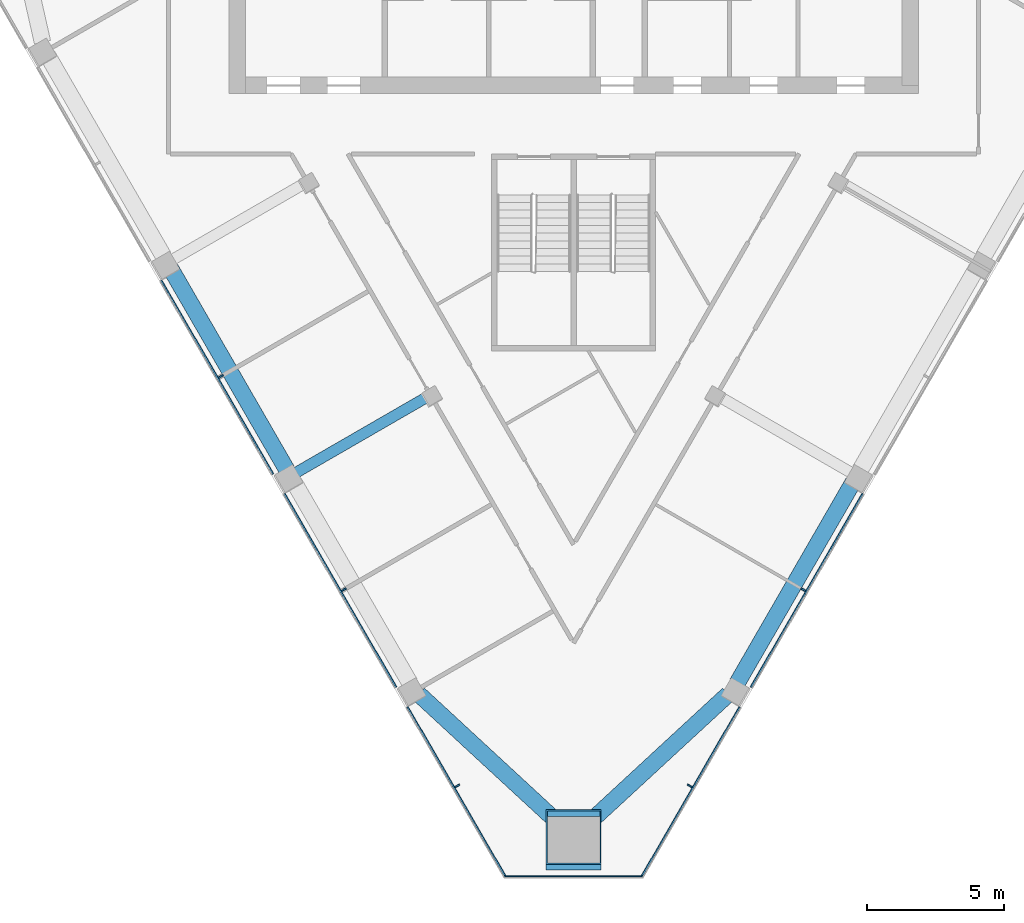
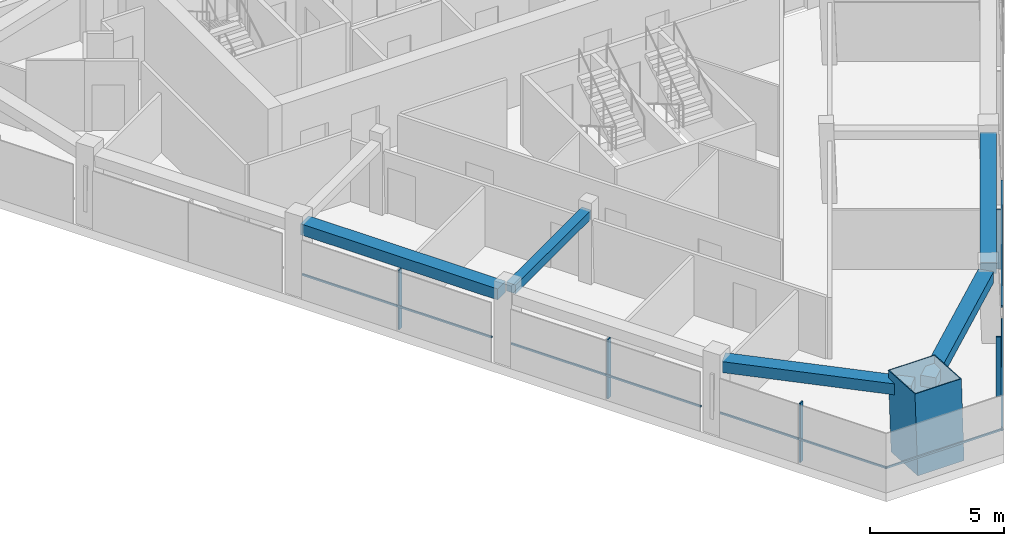
# One storey, part 2 of 12: 12 members, 5 beams, 3 elements without a shape of their own.
"""IFC4 building model written with IfcOpenShell, lengths in metres."""

from ifc_helpers import new_model, si_unit, direction, frame, origin, origin_2d, place, context, subcontext, project, spatial, rectangle, hollow_rectangle, extrude, material, layer, layer_set, material_profile, profile_set, type_object, element, aggregate, save


model = new_model("IFC4")

# Units and contexts
model_context = context("Model", 3, precision=1e-05, world=origin(), true_north=direction((0.0, 1.0)))
body_context = subcontext(model_context, "Body", "Model", "MODEL_VIEW")
ifc_project = project(units=[si_unit("LENGTHUNIT", "METRE"), si_unit("AREAUNIT", "SQUARE_METRE"), si_unit("VOLUMEUNIT", "CUBIC_METRE"), si_unit("PLANEANGLEUNIT", "RADIAN"), si_unit("MASSUNIT", "GRAM", prefix="KILO")], contexts=[model_context])

# Site, building, storey
site_placement = place(None, origin())
site = spatial("IfcSite", under=ifc_project, at=site_placement, CompositionType="ELEMENT")
building_placement = place(site_placement, origin())
building = spatial("IfcBuilding", under=site, at=building_placement, Name="Altiplano Prism Tower", CompositionType="ELEMENT")
storey_placement = place(building_placement, frame((0.0, 0.0, 257.199951171875)))
storey = spatial("IfcBuildingStorey", under=building, at=storey_placement, Name="L66", CompositionType="ELEMENT", Elevation=257.199951171875)

# Curtain wall, members
ifc_material_1 = material(Name="Aluminium and glass", Category="aluminium")
ifc_layer = layer(ifc_material_1, 0.303955078125)
ifc_layer_set = layer_set([ifc_layer], Name="Aluminium and glass")
curtain_wall_type = type_object("IfcCurtainWallType", Name="CW2 lounge-band unitised glazing", PredefinedType="NOTDEFINED", material=ifc_layer_set)
curtain_wall_1_placement = place(storey_placement, origin())
curtain_wall_1 = element("IfcCurtainWall", 1, at=curtain_wall_1_placement, inside=storey, type_object=curtain_wall_type, Name="CW2 curtain wall south-west face L66", PredefinedType="NOTDEFINED")
ifc_material_2 = material(Name="Aluminium", Category="aluminium")
ifc_material_profile_1 = material_profile(ifc_material_2, rectangle(XDim=0.199951171875, YDim=0.06005859375, at=origin_2d()), Name="CW2 mullion 60 x 200")
ifc_profile_set_1 = profile_set([ifc_material_profile_1], Name="Aluminium")
member_type_1 = type_object("IfcMemberType", Name="CW2 mullion 60 x 200", PredefinedType="MULLION", material=ifc_profile_set_1)
member_1_placement = place(storey_placement, frame((72.10498046875, 82.461181640625, 0.0), z_axis=(0.0, 0.0, 1.0), x_axis=(0.866025401332, 0.500000004247, 0.0)))
member_1 = element("IfcMember", 2, at=member_1_placement, type_object=member_type_1, Name="CW2 mullion", PredefinedType="MULLION", context=body_context, shape_type="SweptSolid", body=[
    extrude(rectangle(XDim=0.199951171875, YDim=0.06005859375, at=origin_2d()), origin(), (0.0, 0.0, 1.0), 2.699951171875),
])
member_2_placement = place(storey_placement, frame((76.60498046875, 74.6669921875, 0.0), z_axis=(0.0, 0.0, 1.0), x_axis=(0.866025401332, 0.500000004247, 0.0)))
member_2 = element("IfcMember", 3, at=member_2_placement, type_object=member_type_1, Name="CW2 mullion", PredefinedType="MULLION", context=body_context, shape_type="SweptSolid", body=[
    extrude(rectangle(XDim=0.199951171875, YDim=0.06005859375, at=origin_2d()), origin(), (0.0, 0.0, 1.0), 2.699951171875),
])
member_3_placement = place(storey_placement, frame((80.746337890625, 67.494140625, 0.0), z_axis=(0.0, 0.0, 1.0), x_axis=(0.866025401332, 0.500000004247, 0.0)))
member_3 = element("IfcMember", 4, at=member_3_placement, type_object=member_type_1, Name="CW2 mullion", PredefinedType="MULLION", context=body_context, shape_type="SweptSolid", body=[
    extrude(rectangle(XDim=0.199951171875, YDim=0.06005859375, at=origin_2d()), origin(), (0.0, 0.0, 1.0), 2.699951171875),
])

curtain_wall_2_placement = place(storey_placement, origin())
curtain_wall_2 = element("IfcCurtainWall", 5, at=curtain_wall_2_placement, inside=storey, type_object=curtain_wall_type, Name="CW2 curtain wall south-east face L66", PredefinedType="NOTDEFINED")
member_4_placement = place(storey_placement, frame((89.253662109375, 67.494140625, 0.0), z_axis=(0.0, 0.0, 1.0), x_axis=(-0.866025401332, 0.500000004247, 0.0)))
member_4 = element("IfcMember", 6, at=member_4_placement, type_object=member_type_1, Name="CW2 mullion", PredefinedType="MULLION", context=body_context, shape_type="SweptSolid", body=[
    extrude(rectangle(XDim=0.199951171875, YDim=0.06005859375, at=origin_2d()), origin(), (0.0, 0.0, 1.0), 2.699951171875),
])
member_5_placement = place(storey_placement, frame((93.39501953125, 74.6669921875, 0.0), z_axis=(0.0, 0.0, 1.0), x_axis=(-0.866025401332, 0.500000004247, 0.0)))
member_5 = element("IfcMember", 7, at=member_5_placement, type_object=member_type_1, Name="CW2 mullion", PredefinedType="MULLION", context=body_context, shape_type="SweptSolid", body=[
    extrude(rectangle(XDim=0.199951171875, YDim=0.06005859375, at=origin_2d()), origin(), (0.0, 0.0, 1.0), 2.699951171875),
])

# Member
ifc_material_profile_2 = material_profile(ifc_material_2, rectangle(XDim=0.06005859375, YDim=0.080078125, at=origin_2d()), Name="CW2 transom 80 x 60")
ifc_profile_set_2 = profile_set([ifc_material_profile_2], Name="Aluminium")
member_type_2 = type_object("IfcMemberType", Name="CW2 transom 80 x 60", PredefinedType="USERDEFINED", material=ifc_profile_set_2)
member_6_placement = place(storey_placement, frame((69.93017578125, 85.968017578125, 1.10009765625), z_axis=(0.500008722908, -0.866020367552, 0.0), x_axis=(0.866020367552, 0.500008722908, 0.0)))
member_6 = element("IfcMember", 8, at=member_6_placement, type_object=member_type_2, Name="CW2 transom", ObjectType="TRANSOM", PredefinedType="USERDEFINED", context=body_context, shape_type="SweptSolid", body=[
    extrude(rectangle(XDim=0.06005859375, YDim=0.080078125, at=origin_2d()), origin(), (0.0, 0.0, 1.0), 8.169677734375),
])

member_7_placement = place(storey_placement, frame((74.43017578125, 78.173828125, 1.10009765625), z_axis=(0.500008722908, -0.866020367552, 0.0), x_axis=(0.866020367552, 0.500008722908, 0.0)))
member_7 = element("IfcMember", 9, at=member_7_placement, type_object=member_type_2, Name="CW2 transom", ObjectType="TRANSOM", PredefinedType="USERDEFINED", context=body_context, shape_type="SweptSolid", body=[
    extrude(rectangle(XDim=0.06005859375, YDim=0.080078125, at=origin_2d()), origin(), (0.0, 0.0, 1.0), 8.169677734375),
])

member_8_placement = place(storey_placement, frame((78.93017578125, 70.379638671875, 1.10009765625), z_axis=(0.499995825336, -0.866027814014, 0.0), x_axis=(0.866027814014, 0.499995825336, 0.0)))
member_8 = element("IfcMember", 10, at=member_8_placement, type_object=member_type_2, Name="CW2 transom", ObjectType="TRANSOM", PredefinedType="USERDEFINED", context=body_context, shape_type="SweptSolid", body=[
    extrude(rectangle(XDim=0.06005859375, YDim=0.080078125, at=origin_2d()), origin(), (0.0, 0.0, 1.0), 7.189453125),
])

aggregate(curtain_wall_1, [member_1, member_6, member_2, member_7, member_3, member_8])

# Curtain wall, member
curtain_wall_3_placement = place(storey_placement, origin())
curtain_wall_3 = element("IfcCurtainWall", 11, at=curtain_wall_3_placement, inside=storey, type_object=curtain_wall_type, Name="CW2 curtain wall south chamfer L66", PredefinedType="NOTDEFINED")
member_9_placement = place(storey_placement, frame((82.4609375, 64.1904296875, 1.10009765625), z_axis=(1.0, 0.0, 0.0), x_axis=(0.0, 1.0, 0.0)))
member_9 = element("IfcMember", 12, at=member_9_placement, type_object=member_type_2, Name="CW2 transom", ObjectType="TRANSOM", PredefinedType="USERDEFINED", context=body_context, shape_type="SweptSolid", body=[
    extrude(rectangle(XDim=0.06005859375, YDim=0.080078125, at=origin_2d()), origin(), (0.0, 0.0, 1.0), 5.078125),
])
aggregate(curtain_wall_3, [member_9])

# Member
member_10_placement = place(storey_placement, frame((87.47509765625, 64.1533203125, 1.10009765625), z_axis=(0.499995825336, 0.866027814014, 0.0), x_axis=(-0.866027814014, 0.499995825336, 0.0)))
member_10 = element("IfcMember", 13, at=member_10_placement, type_object=member_type_2, Name="CW2 transom", ObjectType="TRANSOM", PredefinedType="USERDEFINED", context=body_context, shape_type="SweptSolid", body=[
    extrude(rectangle(XDim=0.06005859375, YDim=0.080078125, at=origin_2d()), origin(), (0.0, 0.0, 1.0), 7.189453125),
])

member_11_placement = place(storey_placement, frame((91.48486328125, 71.0986328125, 1.10009765625), z_axis=(0.500008722908, 0.866020367552, 0.0), x_axis=(-0.866020367552, 0.500008722908, 0.0)))
member_11 = element("IfcMember", 14, at=member_11_placement, type_object=member_type_2, Name="CW2 transom", ObjectType="TRANSOM", PredefinedType="USERDEFINED", context=body_context, shape_type="SweptSolid", body=[
    extrude(rectangle(XDim=0.06005859375, YDim=0.080078125, at=origin_2d()), origin(), (0.0, 0.0, 1.0), 8.169677734375),
])

aggregate(curtain_wall_2, [member_4, member_10, member_5, member_11])

# Beams
ifc_material_3 = material(Name="Concrete C60/75", Category="concrete")
ifc_material_profile_3 = material_profile(ifc_material_3, rectangle(XDim=0.60009765625, YDim=0.5, at=origin_2d()), Name="Edge beam 600x500")
ifc_profile_set_3 = profile_set([ifc_material_profile_3], Name="Concrete C60/75")
beam_type_1 = type_object("IfcBeamType", Name="Edge beam 600x500", PredefinedType="SPANDREL", material=ifc_profile_set_3)
beam_1_placement = place(storey_placement, frame((70.275634765625, 86.399169921875, 2.949951171875), z_axis=(0.49998963237, -0.866031389456, 0.0), x_axis=(0.866031389456, 0.49998963237, 0.0)))
element("IfcBeam", 15, at=beam_1_placement, inside=storey, type_object=beam_type_1, Name="Edge beam P12-P13 L67", PredefinedType="SPANDREL", context=body_context, shape_type="SweptSolid", body=[
    extrude(rectangle(XDim=0.60009765625, YDim=0.5, at=origin_2d()), origin(), (0.0, 0.0, 1.0), 8.489990234375),
])
for number, where, z_axis, x_axis, name in (
    (16, (79.348388671875, 70.846435546875, 2.949951171875), (0.734626381342, -0.678471871073, 0.0), (0.678471871073, 0.734626381342, 0.0), "Edge beam P14-M1 L67"),
    (17, (85.33056640625, 65.93212890625, 2.949951171875), (0.734626381342, 0.678471871073, 0.0), (-0.678471871073, 0.734626381342, 0.0), "Edge beam M1-P21 L67"),
):
    element("IfcBeam", number, at=place(storey_placement, frame(where, z_axis=z_axis, x_axis=x_axis)), inside=storey, type_object=beam_type_1, Name=name, PredefinedType="SPANDREL", context=body_context, shape_type="SweptSolid", body=[
        extrude(rectangle(XDim=0.60009765625, YDim=0.5, at=origin_2d()), origin(), (0.0, 0.0, 1.0), 7.2431640625),
    ])
beam_2_placement = place(storey_placement, frame((90.9794921875, 71.252197265625, 2.949951171875), z_axis=(0.49998963237, 0.866031389456, 0.0), x_axis=(-0.866031389456, 0.49998963237, 0.0)))
element("IfcBeam", 18, at=beam_2_placement, inside=storey, type_object=beam_type_1, Name="Edge beam P21-P22 L67", PredefinedType="SPANDREL", context=body_context, shape_type="SweptSolid", body=[
    extrude(rectangle(XDim=0.60009765625, YDim=0.5, at=origin_2d()), origin(), (0.0, 0.0, 1.0), 8.489990234375),
])

# Member
ifc_material_4 = material(Name="Steel S460", Category="steel")
ifc_material_profile_4 = material_profile(ifc_material_4, hollow_rectangle(XDim=2.0, YDim=2.0, WallThickness=0.0400390625, at=origin_2d()), Name="Mega column tube 2000")
ifc_profile_set_4 = profile_set([ifc_material_profile_4], Name="Steel S460")
member_type_3 = type_object("IfcMemberType", Name="Mega column tube 2000", PredefinedType="POST", material=ifc_profile_set_4)
member_12_placement = place(storey_placement, frame((85.0, 65.416259765625, 0.0), z_axis=(0.0, 0.058356907999, 0.998295783467), x_axis=(-1.0, 0.0, 0.0)))
element("IfcMember", 19, at=member_12_placement, inside=storey, type_object=member_type_3, Name="Mega column tube M1 L66", PredefinedType="POST", context=body_context, shape_type="SweptSolid", body=[
    extrude(hollow_rectangle(XDim=2.0, YDim=2.0, WallThickness=0.0400390625, at=origin_2d()), origin(), (0.0, 0.0, 1.0), 3.606201171875),
])

# Beam
ifc_material_profile_5 = material_profile(ifc_material_3, rectangle(XDim=0.39990234375, YDim=0.39990234375, at=origin_2d()), Name="Tie beam 400x400")
ifc_profile_set_5 = profile_set([ifc_material_profile_5], Name="Concrete C60/75")
beam_type_2 = type_object("IfcBeamType", Name="Tie beam 400x400", PredefinedType="BEAM", material=ifc_profile_set_5)
beam_3_placement = place(storey_placement, frame((79.753173828125, 81.773193359375, 3.0), z_axis=(-0.866015459562, -0.500017223503, 0.0), x_axis=(0.500017223503, -0.866015459562, 0.0)))
element("IfcBeam", 20, at=beam_3_placement, inside=storey, type_object=beam_type_2, Name="Tie beam I13 L67", PredefinedType="BEAM", context=body_context, shape_type="SweptSolid", body=[
    extrude(rectangle(XDim=0.39990234375, YDim=0.39990234375, at=origin_2d()), origin(), (0.0, 0.0, 1.0), 5.639892578125),
])

save(model, "model.ifc")
